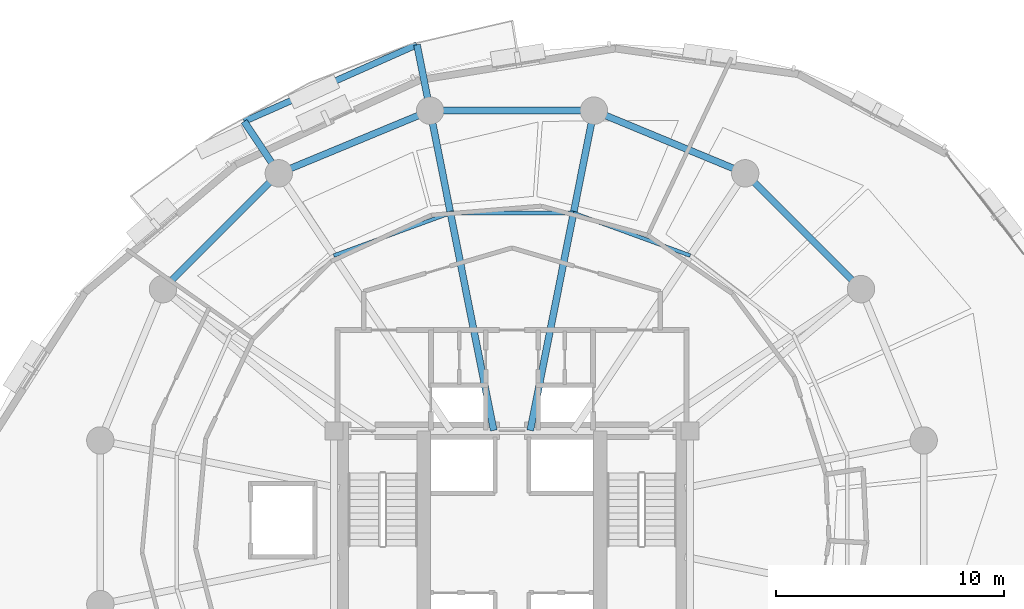
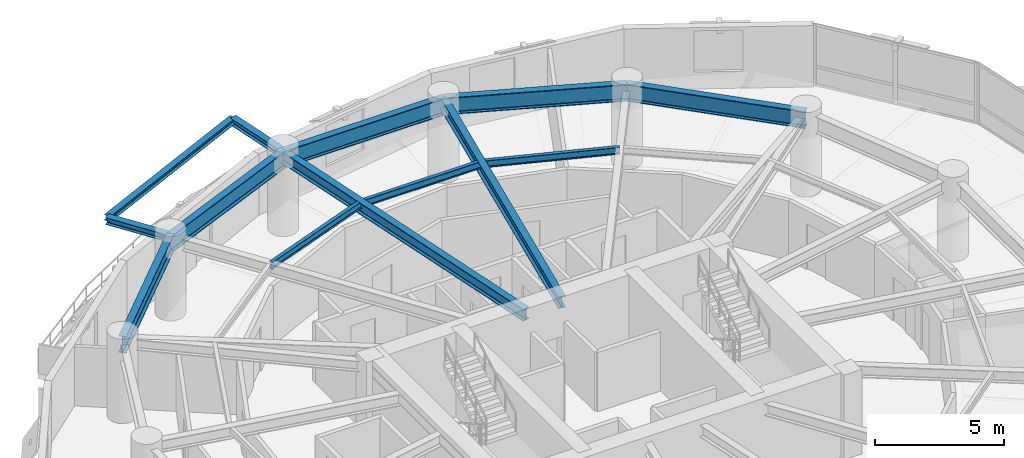
# One storey, part 7 of 14: 13 beams.
"""IFC4 building model written with IfcOpenShell, lengths in metres."""

from ifc_helpers import new_model, si_unit, direction, frame, origin, origin_2d, place, context, subcontext, project, spatial, i_section, extrude, material, material_profile, profile_set, type_object, element, save


model = new_model("IFC4")

# Units and contexts
model_context = context("Model", 3, precision=1e-05, world=origin(), true_north=direction((0.0, 1.0)))
body_context = subcontext(model_context, "Body", "Model", "MODEL_VIEW")
ifc_project = project(units=[si_unit("LENGTHUNIT", "METRE"), si_unit("AREAUNIT", "SQUARE_METRE"), si_unit("VOLUMEUNIT", "CUBIC_METRE"), si_unit("PLANEANGLEUNIT", "RADIAN"), si_unit("MASSUNIT", "GRAM", prefix="KILO"), si_unit("THERMODYNAMICTEMPERATUREUNIT", "KELVIN"), si_unit("POWERUNIT", "WATT")], contexts=[model_context])

# Site, building, storey
site_placement = place(None, origin())
site = spatial("IfcSite", under=ifc_project, at=site_placement, CompositionType="ELEMENT")
building_placement = place(site_placement, origin())
building = spatial("IfcBuilding", under=site, at=building_placement, Name="Ocrelia Relay Tower", CompositionType="ELEMENT")
storey_placement = place(building_placement, frame((0.0, 0.0, 137.800048828125)))
storey = spatial("IfcBuildingStorey", under=building, at=storey_placement, Name="L32", CompositionType="ELEMENT", Elevation=137.800048828125)

# Beams
ifc_material = material(Name="Steel S355", Category="steel")
ifc_material_profile_1 = material_profile(ifc_material, i_section(OverallWidth=0.280029296875, OverallDepth=0.27001953125, WebThickness=0.008056640625, FlangeThickness=0.012939453125, FilletRadius=0.02392578125, at=origin_2d()), Name="HEA 280")
ifc_profile_set_1 = profile_set([ifc_material_profile_1], Name="Steel S355")
beam_type_1 = type_object("IfcBeamType", Name="BM-HEA280", PredefinedType="BEAM", material=ifc_profile_set_1)
beam_1_placement = place(storey_placement, frame((29.835205078125, 46.93701171875, 3.5849609375), z_axis=(-0.913941444777, -0.405846073676, 0.0), x_axis=(0.405846073676, -0.913941444777, 0.0)))
element("IfcBeam", 1, at=beam_1_placement, inside=storey, type_object=beam_type_1, Name="L33 Balcony Edge Trimmer Beam B1", PredefinedType="BEAM", context=body_context, shape_type="SweptSolid", body=[
    extrude(i_section(OverallWidth=0.280029296875, OverallDepth=0.27001953125, WebThickness=0.008056640625, FlangeThickness=0.012939453125, FilletRadius=0.02392578125, at=origin_2d()), origin(), (0.0, 0.0, 1.0), 8.2900390625),
])
ifc_material_profile_2 = material_profile(ifc_material, i_section(OverallWidth=0.300048828125, OverallDepth=0.330078125, WebThickness=0.009521484375, FlangeThickness=0.0166015625, FilletRadius=0.027099609375, at=origin_2d()), Name="HEA 340")
ifc_profile_set_2 = profile_set([ifc_material_profile_2], Name="Steel S355")
beam_type_2 = type_object("IfcBeamType", Name="BM-HEA340", PredefinedType="BEAM", material=ifc_profile_set_2)
beam_2_placement = place(storey_placement, frame((30.410400390625, 44.04638671875, 3.554931640625), z_axis=(-0.195160248671, 0.980771368535, 0.0), x_axis=(-0.980771368535, -0.195160248671, 0.0)))
element("IfcBeam", 2, at=beam_2_placement, inside=storey, type_object=beam_type_2, Name="L33 Balcony Cantilever Beam B1-1", PredefinedType="BEAM", context=body_context, shape_type="SweptSolid", body=[
    extrude(i_section(OverallWidth=0.300048828125, OverallDepth=0.330078125, WebThickness=0.009521484375, FlangeThickness=0.0166015625, FilletRadius=0.027099609375, at=origin_2d()), origin(), (0.0, 0.0, 1.0), 2.947265625),
])
beam_3_placement = place(storey_placement, frame((23.777587890625, 41.299072265625, 3.554931640625), z_axis=(-0.555565326919, 0.831472890433, 0.0), x_axis=(-0.831472890433, -0.555565326919, 0.0)))
element("IfcBeam", 3, at=beam_3_placement, inside=storey, type_object=beam_type_2, Name="L33 Balcony Cantilever Beam B1-2", PredefinedType="BEAM", context=body_context, shape_type="SweptSolid", body=[
    extrude(i_section(OverallWidth=0.300048828125, OverallDepth=0.330078125, WebThickness=0.009521484375, FlangeThickness=0.0166015625, FilletRadius=0.027099609375, at=origin_2d()), origin(), (0.0, 0.0, 1.0), 2.734130859375),
])
ifc_material_profile_3 = material_profile(ifc_material, i_section(OverallWidth=0.300048828125, OverallDepth=0.550048828125, WebThickness=0.014892578125, FlangeThickness=0.029052734375, FilletRadius=0.027099609375, at=origin_2d()), Name="HEB 550")
ifc_profile_set_3 = profile_set([ifc_material_profile_3], Name="Steel S355")
beam_type_3 = type_object("IfcBeamType", Name="BM-HEB550", PredefinedType="BEAM", material=ifc_profile_set_3)
for number, where, z_axis, x_axis, name in (
    (4, (37.589599609375, 44.04638671875, 3.445068359375), (-0.195094300142, -0.980784489096, 0.0), (0.980784489096, -0.195094300142, 0.0), "L32 Radial Floor Girder R04"),
    (5, (30.410400390625, 44.04638671875, 3.445068359375), (0.195094300142, -0.980784489096, 0.0), (0.980784489096, 0.195094300142, 0.0), "L32 Radial Floor Girder R05"),
):
    element("IfcBeam", number, at=place(storey_placement, frame(where, z_axis=z_axis, x_axis=x_axis)), inside=storey, type_object=beam_type_3, Name=name, PredefinedType="BEAM", context=body_context, shape_type="SweptSolid", body=[
        extrude(i_section(OverallWidth=0.300048828125, OverallDepth=0.550048828125, WebThickness=0.014892578125, FlangeThickness=0.029052734375, FilletRadius=0.027099609375, at=origin_2d()), origin(), (0.0, 0.0, 1.0), 14.291015625),
    ])
ifc_material_profile_4 = material_profile(ifc_material, i_section(OverallWidth=0.300048828125, OverallDepth=0.800048828125, WebThickness=0.017578125, FlangeThickness=0.032958984375, FilletRadius=0.030029296875, at=origin_2d()), Name="HEB 800")
ifc_profile_set_4 = profile_set([ifc_material_profile_4], Name="Steel S355")
beam_type_4 = type_object("IfcBeamType", Name="BM-HEB800", PredefinedType="BEAM", material=ifc_profile_set_4)
beam_4_placement = place(storey_placement, frame((49.299072265625, 36.222412109375, 3.320068359375), z_axis=(-0.707106781187, 0.707106781187, 0.0), x_axis=(-0.707106781187, -0.707106781187, 0.0)))
element("IfcBeam", 6, at=beam_4_placement, inside=storey, type_object=beam_type_4, Name="L32 Perimeter Spandrel Beam S02", PredefinedType="BEAM", context=body_context, shape_type="SweptSolid", body=[
    extrude(i_section(OverallWidth=0.300048828125, OverallDepth=0.800048828125, WebThickness=0.017578125, FlangeThickness=0.032958984375, FilletRadius=0.030029296875, at=origin_2d()), origin(), (0.0, 0.0, 1.0), 7.179443359375),
])
for number, where, z_axis, x_axis, name in (
    (7, (44.222412109375, 41.299072265625, 3.320068359375), (-0.923883789366, 0.382673155247, 0.0), (-0.382673155247, -0.923883789366, 0.0), "L32 Perimeter Spandrel Beam S03"),
    (8, (37.589599609375, 44.04638671875, 3.320068359375), (-1.0, 0.0, 0.0), (0.0, -1.0, 0.0), "L32 Perimeter Spandrel Beam S04"),
    (9, (30.410400390625, 44.04638671875, 3.320068359375), (-0.923883789366, -0.382673155247, 0.0), (0.382673155247, -0.923883789366, 0.0), "L32 Perimeter Spandrel Beam S05"),
):
    element("IfcBeam", number, at=place(storey_placement, frame(where, z_axis=z_axis, x_axis=x_axis)), inside=storey, type_object=beam_type_4, Name=name, PredefinedType="BEAM", context=body_context, shape_type="SweptSolid", body=[
        extrude(i_section(OverallWidth=0.300048828125, OverallDepth=0.800048828125, WebThickness=0.017578125, FlangeThickness=0.032958984375, FilletRadius=0.030029296875, at=origin_2d()), origin(), (0.0, 0.0, 1.0), 7.17919921875),
    ])
beam_5_placement = place(storey_placement, frame((23.777587890625, 41.299072265625, 3.320068359375), z_axis=(-0.707106781187, -0.707106781187, 0.0), x_axis=(0.707106781187, -0.707106781187, 0.0)))
element("IfcBeam", 10, at=beam_5_placement, inside=storey, type_object=beam_type_4, Name="L32 Perimeter Spandrel Beam S06", PredefinedType="BEAM", context=body_context, shape_type="SweptSolid", body=[
    extrude(i_section(OverallWidth=0.300048828125, OverallDepth=0.800048828125, WebThickness=0.017578125, FlangeThickness=0.032958984375, FilletRadius=0.030029296875, at=origin_2d()), origin(), (0.0, 0.0, 1.0), 7.179443359375),
])
ifc_material_profile_5 = material_profile(ifc_material, i_section(OverallWidth=0.159912109375, OverallDepth=0.330078125, WebThickness=0.007568359375, FlangeThickness=0.011474609375, FilletRadius=0.01806640625, at=origin_2d()), Name="IPE 330")
ifc_profile_set_5 = profile_set([ifc_material_profile_5], Name="Steel S355")
beam_type_5 = type_object("IfcBeamType", Name="BM-IPE330", PredefinedType="JOIST", material=ifc_profile_set_5)
beam_6_placement = place(storey_placement, frame((41.81298828125, 37.69287109375, 3.554931640625), z_axis=(-0.93930687927, 0.34307810562, 0.0), x_axis=(-0.34307810562, -0.93930687927, 0.0)))
element("IfcBeam", 11, at=beam_6_placement, inside=storey, type_object=beam_type_5, Name="L32 Secondary Floor Joist J03", PredefinedType="JOIST", context=body_context, shape_type="SweptSolid", body=[
    extrude(i_section(OverallWidth=0.159912109375, OverallDepth=0.330078125, WebThickness=0.007568359375, FlangeThickness=0.011474609375, FilletRadius=0.01806640625, at=origin_2d()), origin(), (0.0, 0.0, 1.0), 5.446044921875),
])
beam_7_placement = place(storey_placement, frame((36.697509765625, 39.561279296875, 3.554931640625), z_axis=(-1.0, 0.0, 0.0), x_axis=(0.0, -1.0, 0.0)))
element("IfcBeam", 12, at=beam_7_placement, inside=storey, type_object=beam_type_5, Name="L32 Secondary Floor Joist J04", PredefinedType="JOIST", context=body_context, shape_type="SweptSolid", body=[
    extrude(i_section(OverallWidth=0.159912109375, OverallDepth=0.330078125, WebThickness=0.007568359375, FlangeThickness=0.011474609375, FilletRadius=0.01806640625, at=origin_2d()), origin(), (0.0, 0.0, 1.0), 5.39501953125),
])
beam_8_placement = place(storey_placement, frame((31.302490234375, 39.561279296875, 3.554931640625), z_axis=(-0.93930687927, -0.34307810562, 0.0), x_axis=(0.34307810562, -0.93930687927, 0.0)))
element("IfcBeam", 13, at=beam_8_placement, inside=storey, type_object=beam_type_5, Name="L32 Secondary Floor Joist J05", PredefinedType="JOIST", context=body_context, shape_type="SweptSolid", body=[
    extrude(i_section(OverallWidth=0.159912109375, OverallDepth=0.330078125, WebThickness=0.007568359375, FlangeThickness=0.011474609375, FilletRadius=0.01806640625, at=origin_2d()), origin(), (0.0, 0.0, 1.0), 5.446044921875),
])

save(model, "model.ifc")
